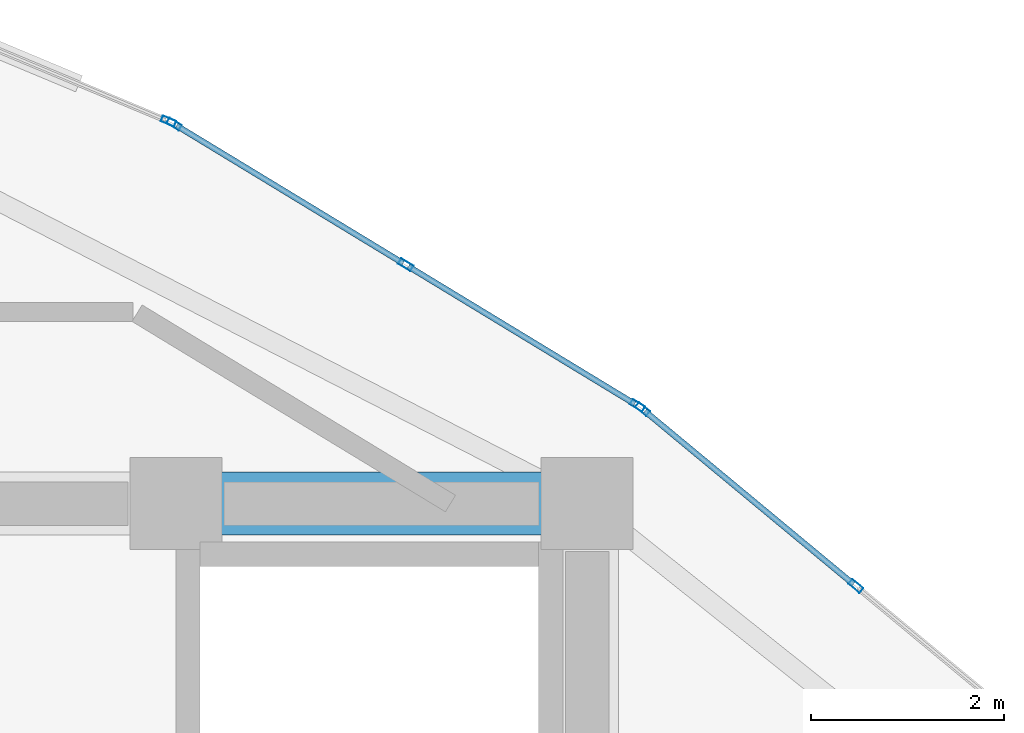
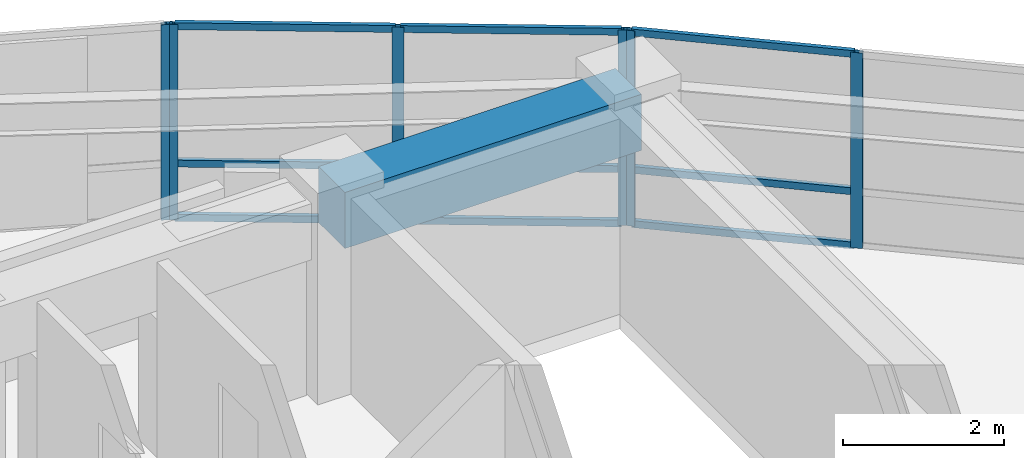
# One storey, part 10 of 13: 15 members, 1 beam, 3 elements without a shape of their own.
"""IFC4 building model written with IfcOpenShell, lengths in metres."""

from ifc_helpers import new_model, si_unit, direction, frame, origin, origin_2d, place, context, subcontext, project, spatial, rectangle, hollow_rectangle, extrude, material, layer, layer_set, material_profile, profile_set, type_object, element, aggregate, save


model = new_model("IFC4")

# Units and contexts
model_context = context("Model", 3, precision=1e-05, world=origin(), true_north=direction((0.0, 1.0)))
body_context = subcontext(model_context, "Body", "Model", "MODEL_VIEW")
ifc_project = project(units=[si_unit("LENGTHUNIT", "METRE"), si_unit("AREAUNIT", "SQUARE_METRE"), si_unit("VOLUMEUNIT", "CUBIC_METRE"), si_unit("PLANEANGLEUNIT", "RADIAN"), si_unit("MASSUNIT", "GRAM", prefix="KILO")], contexts=[model_context])

# Site, building, storey
site_placement = place(None, origin())
site = spatial("IfcSite", under=ifc_project, at=site_placement, CompositionType="ELEMENT")
building_placement = place(site_placement, origin())
building = spatial("IfcBuilding", under=site, at=building_placement, Name="Menara Vayukalpa", CompositionType="ELEMENT")
storey_placement = place(building_placement, frame((0.0, 0.0, 315.219970703125)))
storey = spatial("IfcBuildingStorey", under=building, at=storey_placement, Name="L81", CompositionType="ELEMENT", Elevation=315.219970703125)

# Beam
ifc_material_1 = material(Name="Concrete C60/75", Category="concrete")
ifc_material_profile_1 = material_profile(ifc_material_1, rectangle(XDim=0.64990234375, YDim=0.85009765625, at=origin_2d()), Name="RC 650x850")
ifc_profile_set_1 = profile_set([ifc_material_profile_1], Name="Concrete C60/75")
beam_type = type_object("IfcBeamType", Name="BM-CB1", PredefinedType="BEAM", material=ifc_profile_set_1)
beam_placement = place(storey_placement, frame((29.14990234375, 26.800048828125, 2.534912109375), z_axis=(1.0, 0.0, 0.0), x_axis=(0.0, 1.0, 0.0)))
element("IfcBeam", 1, at=beam_placement, inside=storey, type_object=beam_type, Name="L81 Core Tie Beam CBR6", PredefinedType="BEAM", context=body_context, shape_type="SweptSolid", body=[
    extrude(rectangle(XDim=0.64990234375, YDim=0.85009765625, at=origin_2d()), origin(), (0.0, 0.0, 1.0), 4.25),
])

# Curtain wall, members
ifc_material_2 = material(Name="Anodised Terracotta Aluminium Alloy 6063-T6", Category="masonry")
ifc_layer = layer(ifc_material_2, 0.14990234375)
ifc_layer_set = layer_set([ifc_layer], Name="Anodised Terracotta Aluminium Alloy 6063-T6")
curtain_wall_type = type_object("IfcCurtainWallType", Name="CW-CW7", PredefinedType="USERDEFINED", material=ifc_layer_set)
curtain_wall_1_placement = place(storey_placement, origin())
curtain_wall_1 = element("IfcCurtainWall", 2, at=curtain_wall_1_placement, inside=storey, type_object=curtain_wall_type, Name="L81 Crown Drum Screened Curtain Wall CW7 03", ObjectType="UNITISED", PredefinedType="USERDEFINED")
ifc_material_3 = material(Name="Anodised Terracotta Aluminium Alloy 6063-T6", Category="masonry")
ifc_material_profile_2 = material_profile(ifc_material_3, hollow_rectangle(XDim=0.06494140625, YDim=0.14990234375, WallThickness=0.00341796875, at=origin_2d()), Name="ALU 65x150x3.5")
ifc_profile_set_2 = profile_set([ifc_material_profile_2], Name="Anodised Terracotta Aluminium Alloy 6063-T6")
member_type_1 = type_object("IfcMemberType", Name="CWM-CW7", PredefinedType="MULLION", material=ifc_profile_set_2)
member_1_placement = place(storey_placement, frame((36.1796875, 25.946533203125, 0.0), z_axis=(0.0, 0.0, 1.0), x_axis=(-0.63834658997, -0.7697490702, 0.0)))
member_1 = element("IfcMember", 3, at=member_1_placement, type_object=member_type_1, Name="CW7 mullion 2", PredefinedType="MULLION", context=body_context, shape_type="SweptSolid", body=[
    extrude(hollow_rectangle(XDim=0.06494140625, YDim=0.14990234375, WallThickness=0.00341796875, at=origin_2d()), origin(), (0.0, 0.0, 1.0), 2.9599609375),
])
member_2_placement = place(storey_placement, frame((33.9736328125, 27.776123046875, 0.0), z_axis=(0.0, 0.0, 1.0), x_axis=(-0.63834658997, -0.7697490702, 0.0)))
member_2 = element("IfcMember", 4, at=member_2_placement, type_object=member_type_1, Name="CW7 mullion 3", PredefinedType="MULLION", context=body_context, shape_type="SweptSolid", body=[
    extrude(hollow_rectangle(XDim=0.06494140625, YDim=0.14990234375, WallThickness=0.00341796875, at=origin_2d()), origin(), (0.0, 0.0, 1.0), 2.9599609375),
])

curtain_wall_2_placement = place(storey_placement, origin())
curtain_wall_2 = element("IfcCurtainWall", 5, at=curtain_wall_2_placement, inside=storey, type_object=curtain_wall_type, Name="L81 Crown Drum Screened Curtain Wall CW7 04", ObjectType="UNITISED", PredefinedType="USERDEFINED")
member_3_placement = place(storey_placement, frame((33.9208984375, 27.813720703125, 0.0), z_axis=(0.0, 0.0, 1.0), x_axis=(-0.519176441176, -0.854667083096, 0.0)))
member_3 = element("IfcMember", 6, at=member_3_placement, type_object=member_type_1, Name="CW7 mullion 1", PredefinedType="MULLION", context=body_context, shape_type="SweptSolid", body=[
    extrude(hollow_rectangle(XDim=0.06494140625, YDim=0.14990234375, WallThickness=0.00341796875, at=origin_2d()), origin(), (0.0, 0.0, 1.0), 2.9599609375),
])
member_4_placement = place(storey_placement, frame((31.525146484375, 29.26904296875, 0.0), z_axis=(0.0, 0.0, 1.0), x_axis=(-0.519176441176, -0.854667083096, 0.0)))
member_4 = element("IfcMember", 7, at=member_4_placement, type_object=member_type_1, Name="CW7 mullion 2", PredefinedType="MULLION", context=body_context, shape_type="SweptSolid", body=[
    extrude(hollow_rectangle(XDim=0.06494140625, YDim=0.14990234375, WallThickness=0.00341796875, at=origin_2d()), origin(), (0.0, 0.0, 1.0), 2.9599609375),
])
member_5_placement = place(storey_placement, frame((29.129638671875, 30.72412109375, 0.0), z_axis=(0.0, 0.0, 1.0), x_axis=(-0.519176441176, -0.854667083096, 0.0)))
member_5 = element("IfcMember", 8, at=member_5_placement, type_object=member_type_1, Name="CW7 mullion 3", PredefinedType="MULLION", context=body_context, shape_type="SweptSolid", body=[
    extrude(hollow_rectangle(XDim=0.06494140625, YDim=0.14990234375, WallThickness=0.00341796875, at=origin_2d()), origin(), (0.0, 0.0, 1.0), 2.9599609375),
])

# Curtain wall, member
curtain_wall_3_placement = place(storey_placement, origin())
curtain_wall_3 = element("IfcCurtainWall", 9, at=curtain_wall_3_placement, inside=storey, type_object=curtain_wall_type, Name="L81 Crown Drum Screened Curtain Wall CW7 05", ObjectType="UNITISED", PredefinedType="USERDEFINED")
member_6_placement = place(storey_placement, frame((29.07177734375, 30.753662109375, 0.0), z_axis=(0.0, 0.0, 1.0), x_axis=(-0.385898361946, -0.922541302191, 0.0)))
member_6 = element("IfcMember", 10, at=member_6_placement, type_object=member_type_1, Name="CW7 mullion 1", PredefinedType="MULLION", context=body_context, shape_type="SweptSolid", body=[
    extrude(hollow_rectangle(XDim=0.06494140625, YDim=0.14990234375, WallThickness=0.00341796875, at=origin_2d()), origin(), (0.0, 0.0, 1.0), 2.9599609375),
])
aggregate(curtain_wall_3, [member_6])

# Member
ifc_material_4 = material(Name="Anodised Terracotta Aluminium Alloy 6063-T6", Category="masonry")
ifc_material_profile_3 = material_profile(ifc_material_4, hollow_rectangle(XDim=0.06005859375, YDim=0.10498046875, WallThickness=0.0029296875, at=origin_2d()), Name="ALU 60x105x3")
ifc_profile_set_3 = profile_set([ifc_material_profile_3], Name="Anodised Terracotta Aluminium Alloy 6063-T6")
member_type_2 = type_object("IfcMemberType", Name="CWT-CW7", PredefinedType="USERDEFINED", material=ifc_profile_set_3)
member_7_placement = place(storey_placement, frame((36.15478515625, 25.96728515625, 0.030029296875), z_axis=(-0.769726621741, 0.638373658434, 0.0), x_axis=(-0.638373658434, -0.769726621741, 0.0)))
member_7 = element("IfcMember", 11, at=member_7_placement, type_object=member_type_2, Name="CW7 transom 2.1", ObjectType="TRANSOM", PredefinedType="USERDEFINED", context=body_context, shape_type="SweptSolid", body=[
    extrude(hollow_rectangle(XDim=0.06005859375, YDim=0.10498046875, WallThickness=0.0029296875, at=origin_2d()), origin(), (0.0, 0.0, 1.0), 2.801025390625),
])

member_8_placement = place(storey_placement, frame((36.15478515625, 25.96728515625, 0.85009765625), z_axis=(-0.769726621741, 0.638373658434, 0.0), x_axis=(-0.638373658434, -0.769726621741, 0.0)))
member_8 = element("IfcMember", 12, at=member_8_placement, type_object=member_type_2, Name="CW7 transom 2.2", ObjectType="TRANSOM", PredefinedType="USERDEFINED", context=body_context, shape_type="SweptSolid", body=[
    extrude(hollow_rectangle(XDim=0.06005859375, YDim=0.10498046875, WallThickness=0.0029296875, at=origin_2d()), origin(), (0.0, 0.0, 1.0), 2.801025390625),
])

member_9_placement = place(storey_placement, frame((36.15478515625, 25.96728515625, 2.929931640625), z_axis=(-0.769726621741, 0.638373658434, 0.0), x_axis=(-0.638373658434, -0.769726621741, 0.0)))
member_9 = element("IfcMember", 13, at=member_9_placement, type_object=member_type_2, Name="CW7 transom 2.3", ObjectType="TRANSOM", PredefinedType="USERDEFINED", context=body_context, shape_type="SweptSolid", body=[
    extrude(hollow_rectangle(XDim=0.06005859375, YDim=0.10498046875, WallThickness=0.0029296875, at=origin_2d()), origin(), (0.0, 0.0, 1.0), 2.801025390625),
])

aggregate(curtain_wall_1, [member_1, member_2, member_7, member_8, member_9])

member_10_placement = place(storey_placement, frame((33.89306640625, 27.83056640625, 0.030029296875), z_axis=(-0.854647628743, 0.519208465537, 0.0), x_axis=(-0.519208465537, -0.854647628743, 0.0)))
member_10 = element("IfcMember", 14, at=member_10_placement, type_object=member_type_2, Name="CW7 transom 1.1", ObjectType="TRANSOM", PredefinedType="USERDEFINED", context=body_context, shape_type="SweptSolid", body=[
    extrude(hollow_rectangle(XDim=0.06005859375, YDim=0.10498046875, WallThickness=0.0029296875, at=origin_2d()), origin(), (0.0, 0.0, 1.0), 2.738037109375),
])

member_11_placement = place(storey_placement, frame((33.89306640625, 27.83056640625, 0.85009765625), z_axis=(-0.854647628743, 0.519208465537, 0.0), x_axis=(-0.519208465537, -0.854647628743, 0.0)))
member_11 = element("IfcMember", 15, at=member_11_placement, type_object=member_type_2, Name="CW7 transom 1.2", ObjectType="TRANSOM", PredefinedType="USERDEFINED", context=body_context, shape_type="SweptSolid", body=[
    extrude(hollow_rectangle(XDim=0.06005859375, YDim=0.10498046875, WallThickness=0.0029296875, at=origin_2d()), origin(), (0.0, 0.0, 1.0), 2.738037109375),
])

member_12_placement = place(storey_placement, frame((33.89306640625, 27.83056640625, 2.929931640625), z_axis=(-0.854647628743, 0.519208465537, 0.0), x_axis=(-0.519208465537, -0.854647628743, 0.0)))
member_12 = element("IfcMember", 16, at=member_12_placement, type_object=member_type_2, Name="CW7 transom 1.3", ObjectType="TRANSOM", PredefinedType="USERDEFINED", context=body_context, shape_type="SweptSolid", body=[
    extrude(hollow_rectangle(XDim=0.06005859375, YDim=0.10498046875, WallThickness=0.0029296875, at=origin_2d()), origin(), (0.0, 0.0, 1.0), 2.738037109375),
])

member_13_placement = place(storey_placement, frame((31.49755859375, 29.285888671875, 0.030029296875), z_axis=(-0.854687194246, 0.519143332801, 0.0), x_axis=(-0.519143332801, -0.854687194246, 0.0)))
member_13 = element("IfcMember", 17, at=member_13_placement, type_object=member_type_2, Name="CW7 transom 2.1", ObjectType="TRANSOM", PredefinedType="USERDEFINED", context=body_context, shape_type="SweptSolid", body=[
    extrude(hollow_rectangle(XDim=0.06005859375, YDim=0.10498046875, WallThickness=0.0029296875, at=origin_2d()), origin(), (0.0, 0.0, 1.0), 2.738037109375),
])

member_14_placement = place(storey_placement, frame((31.49755859375, 29.285888671875, 0.85009765625), z_axis=(-0.854687194246, 0.519143332801, 0.0), x_axis=(-0.519143332801, -0.854687194246, 0.0)))
member_14 = element("IfcMember", 18, at=member_14_placement, type_object=member_type_2, Name="CW7 transom 2.2", ObjectType="TRANSOM", PredefinedType="USERDEFINED", context=body_context, shape_type="SweptSolid", body=[
    extrude(hollow_rectangle(XDim=0.06005859375, YDim=0.10498046875, WallThickness=0.0029296875, at=origin_2d()), origin(), (0.0, 0.0, 1.0), 2.738037109375),
])

member_15_placement = place(storey_placement, frame((31.49755859375, 29.285888671875, 2.929931640625), z_axis=(-0.854687194246, 0.519143332801, 0.0), x_axis=(-0.519143332801, -0.854687194246, 0.0)))
member_15 = element("IfcMember", 19, at=member_15_placement, type_object=member_type_2, Name="CW7 transom 2.3", ObjectType="TRANSOM", PredefinedType="USERDEFINED", context=body_context, shape_type="SweptSolid", body=[
    extrude(hollow_rectangle(XDim=0.06005859375, YDim=0.10498046875, WallThickness=0.0029296875, at=origin_2d()), origin(), (0.0, 0.0, 1.0), 2.738037109375),
])

aggregate(curtain_wall_2, [member_3, member_4, member_5, member_10, member_11, member_12, member_13, member_14, member_15])

save(model, "model.ifc")
